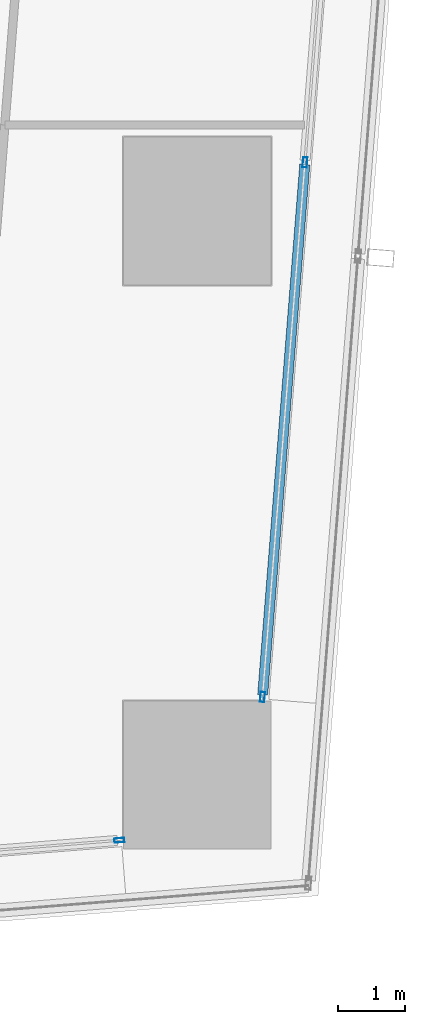
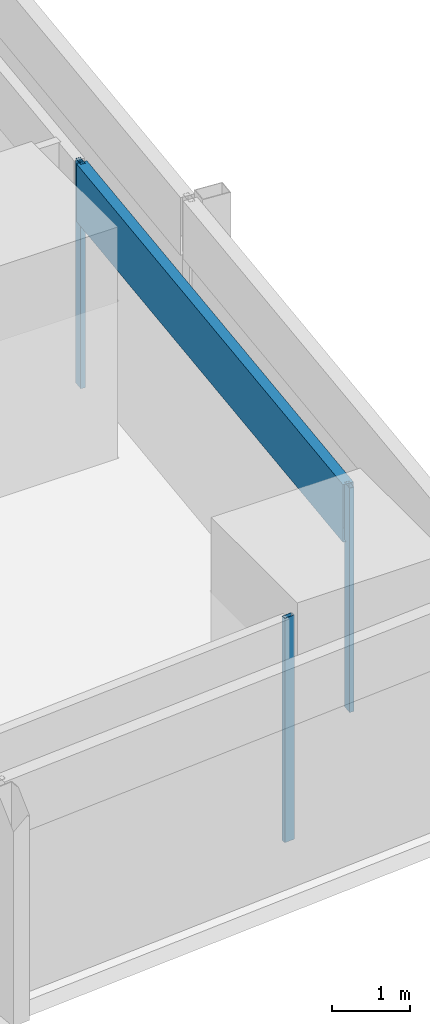
# One storey, part 12 of 45: 4 members, 2 elements without a shape of their own.
"""IFC4 building model written with IfcOpenShell, lengths in metres."""

from ifc_helpers import new_model, si_unit, direction, frame, origin, origin_2d, place, context, subcontext, project, spatial, hollow_rectangle, extrude, material, material_profile, profile_set, type_object, element, aggregate, save


model = new_model("IFC4")

# Units and contexts
model_context = context("Model", 3, precision=1e-05, world=origin(), true_north=direction((0.0, 1.0)))
body_context = subcontext(model_context, "Body", "Model", "MODEL_VIEW")
ifc_project = project(units=[si_unit("LENGTHUNIT", "METRE"), si_unit("AREAUNIT", "SQUARE_METRE"), si_unit("VOLUMEUNIT", "CUBIC_METRE"), si_unit("PLANEANGLEUNIT", "RADIAN"), si_unit("MASSUNIT", "GRAM", prefix="KILO")], contexts=[model_context])

# Site, building, storey
site_placement = place(None, origin())
site = spatial("IfcSite", under=ifc_project, at=site_placement, CompositionType="ELEMENT")
building_placement = place(site_placement, origin())
building = spatial("IfcBuilding", under=site, at=building_placement, Name="Rekha Terrace Tower", CompositionType="ELEMENT")
storey_placement = place(building_placement, frame((0.0, 0.0, 36.64990234375)))
storey = spatial("IfcBuildingStorey", under=building, at=storey_placement, Name="L08", CompositionType="ELEMENT", Elevation=36.64990234375)

# Curtain wall, member
ifc_material_1 = material(Name="Aluminium framing", Category="aluminium")
curtain_wall_type = type_object("IfcCurtainWallType", Name="CW1 double skin inner glazing", PredefinedType="USERDEFINED", material=ifc_material_1)
curtain_wall_1_placement = place(storey_placement, origin())
curtain_wall_1 = element("IfcCurtainWall", 1, at=curtain_wall_1_placement, inside=storey, type_object=curtain_wall_type, Name="CW1 double skin inner glazing", ObjectType="DOUBLE SKIN INNER GLAZING", PredefinedType="USERDEFINED")
ifc_material_2 = material(Name="Aluminium mullion section", Category="aluminium")
ifc_material_profile_1 = material_profile(ifc_material_2, hollow_rectangle(XDim=0.06494140625, YDim=0.14990234375, WallThickness=0.00390625, at=origin_2d()), Name="AL RHS 65x150")
ifc_profile_set_1 = profile_set([ifc_material_profile_1], Name="Aluminium mullion section")
member_type_1 = type_object("IfcMemberType", Name="CW1 mullion RHS 65 x 150", PredefinedType="MULLION", material=ifc_profile_set_1)
member_1_placement = place(storey_placement, frame((66.0400390625, 7.42626953125, 0.0), z_axis=(0.0, 0.0, 1.0), x_axis=(-0.079872204468, 0.996805111821, 0.0)))
member_1 = element("IfcMember", 2, at=member_1_placement, type_object=member_type_1, Name="CW1 mullion 3", PredefinedType="MULLION", context=body_context, shape_type="SweptSolid", body=[
    extrude(hollow_rectangle(XDim=0.06494140625, YDim=0.14990234375, WallThickness=0.00390625, at=origin_2d()), origin(), (0.0, 0.0, 1.0), 3.5),
])
aggregate(curtain_wall_1, [member_1])

# Curtain wall, members
curtain_wall_2_placement = place(storey_placement, origin())
curtain_wall_2 = element("IfcCurtainWall", 3, at=curtain_wall_2_placement, inside=storey, type_object=curtain_wall_type, Name="CW1 double skin inner glazing", ObjectType="DOUBLE SKIN INNER GLAZING", PredefinedType="USERDEFINED")
member_2_placement = place(storey_placement, frame((68.171630859375, 9.559814453125, 0.0), z_axis=(0.0, 0.0, 1.0), x_axis=(-0.996865392576, 0.079116301, 0.0)))
member_2 = element("IfcMember", 4, at=member_2_placement, type_object=member_type_1, Name="CW1 mullion 1", PredefinedType="MULLION", context=body_context, shape_type="SweptSolid", body=[
    extrude(hollow_rectangle(XDim=0.06494140625, YDim=0.14990234375, WallThickness=0.00390625, at=origin_2d()), origin(), (0.0, 0.0, 1.0), 3.5),
])
member_3_placement = place(storey_placement, frame((68.8037109375, 17.5234375, 0.0), z_axis=(0.0, 0.0, 1.0), x_axis=(-0.996865392576, 0.079116301, 0.0)))
member_3 = element("IfcMember", 5, at=member_3_placement, type_object=member_type_1, Name="CW1 mullion 2", PredefinedType="MULLION", context=body_context, shape_type="SweptSolid", body=[
    extrude(hollow_rectangle(XDim=0.06494140625, YDim=0.14990234375, WallThickness=0.00390625, at=origin_2d()), origin(), (0.0, 0.0, 1.0), 3.5),
])
ifc_material_3 = material(Name="Insulated aluminium spandrel box", Category="aluminium")
ifc_material_profile_2 = material_profile(ifc_material_3, hollow_rectangle(XDim=0.14990234375, YDim=0.89990234375, WallThickness=0.0029296875, at=origin_2d()), Name="AL SPANDREL BOX 150x900")
ifc_profile_set_2 = profile_set([ifc_material_profile_2], Name="Insulated aluminium spandrel box")
member_type_2 = type_object("IfcMemberType", Name="CW1 spandrel transom 150 x 900", PredefinedType="USERDEFINED", material=ifc_profile_set_2)
member_4_placement = place(storey_placement, frame((68.174072265625, 9.59228515625, 3.050048828125), z_axis=(0.079125535375, 0.996864659646, 0.0), x_axis=(-0.996864659646, 0.079125535375, 0.0)))
member_4 = element("IfcMember", 6, at=member_4_placement, type_object=member_type_2, Name="CW1 spandrel transom 1", ObjectType="TRANSOM", PredefinedType="USERDEFINED", context=body_context, shape_type="SweptSolid", body=[
    extrude(hollow_rectangle(XDim=0.14990234375, YDim=0.89990234375, WallThickness=0.0029296875, at=origin_2d()), origin(), (0.0, 0.0, 1.0), 7.923583984375),
])
aggregate(curtain_wall_2, [member_2, member_3, member_4])

save(model, "model.ifc")
